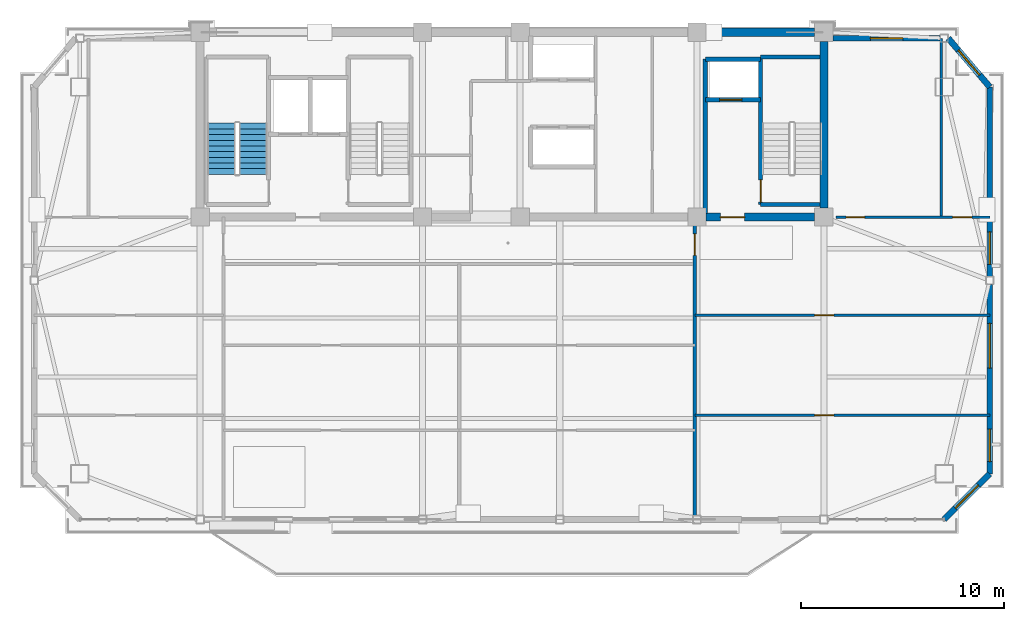
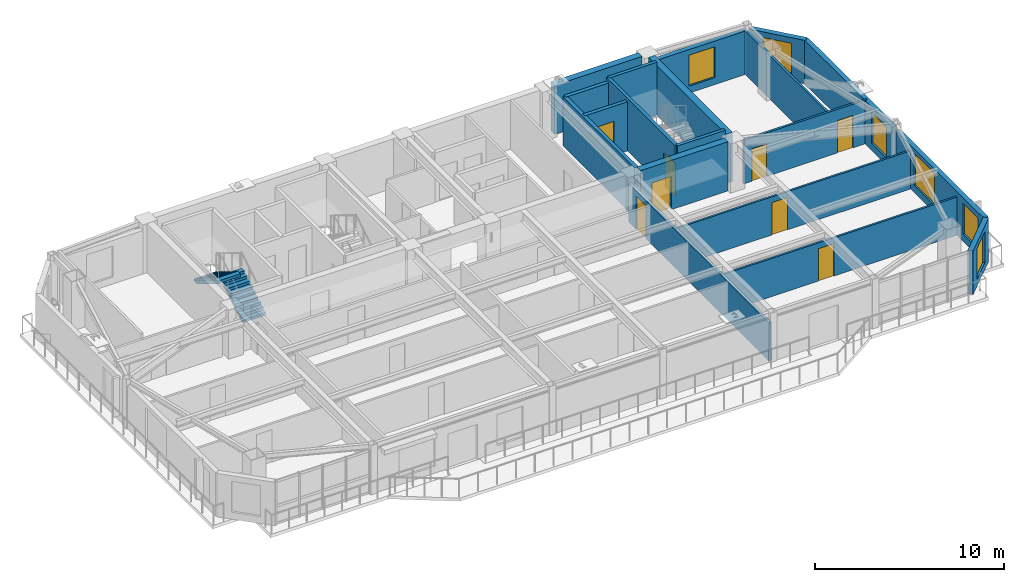
# One storey, part 8 of 13: 19 walls, 8 doors, 6 windows, 2 stair flights, 14 openings, 1 element without a shape of its own.
"""IFC4 building model written with IfcOpenShell, lengths in metres."""

from ifc_helpers import new_model, si_unit, direction, frame, frame_2d, origin, place, context, subcontext, project, spatial, polyline, rectangle, outline, extrude, source, transform, mapped, material, layer, layer_set, type_object, element, fill, aggregate, save


model = new_model("IFC4")

# Units and contexts
model_context = context("Model", 3, precision=1e-05, world=origin(), true_north=direction((0.0, 1.0)))
body_context = subcontext(model_context, "Body", "Model", "MODEL_VIEW")
ifc_project = project(units=[si_unit("LENGTHUNIT", "METRE"), si_unit("AREAUNIT", "SQUARE_METRE"), si_unit("VOLUMEUNIT", "CUBIC_METRE"), si_unit("PLANEANGLEUNIT", "RADIAN"), si_unit("MASSUNIT", "GRAM", prefix="KILO")], contexts=[model_context])

# Site, building, storey
site_placement = place(None, origin())
site = spatial("IfcSite", under=ifc_project, at=site_placement, CompositionType="ELEMENT")
building_placement = place(site_placement, origin())
building = spatial("IfcBuilding", under=site, at=building_placement, Name="Giltprow Tower", CompositionType="ELEMENT")
storey_placement = place(building_placement, frame((0.0, 0.0, 335.699951171875)))
storey = spatial("IfcBuildingStorey", under=building, at=storey_placement, Name="L87", CompositionType="ELEMENT", Elevation=335.699951171875)

# Wall, opening, window
ifc_material_1 = material(Name="Precast concrete C40", Category="concrete")
ifc_layer_1 = layer(ifc_material_1, 0.300048828125, Name="Precast concrete C40")
ifc_layer_set_1 = layer_set([ifc_layer_1], Name="Precast concrete C40")
wall_type_1 = type_object("IfcWallType", Name="EW-NOTCH-CHAMFER-300", PredefinedType="SOLIDWALL", material=ifc_layer_set_1)
wall_1_placement = place(storey_placement, frame((56.468994140625, 22.568115234375, 0.0), z_axis=(0.0, 0.0, 1.0), x_axis=(0.707145211947, 0.707068348337, 0.0)))
wall_1 = element("IfcWall", 1, at=wall_1_placement, inside=storey, type_object=wall_type_1, Name="L87 Corner Notch Wall SE", PredefinedType="SOLIDWALL", context=body_context, shape_type="SweptSolid", body=[
    extrude(rectangle(XDim=3.17626953125, YDim=0.300048828125, at=frame_2d((1.588134765625, 0.0))), origin(), (0.0, 0.0, 1.0), 2.81494140625),
])
opening_1_placement = place(wall_1_placement, frame((0.7880859375, 0.0, 0.449951171875)))
opening_1 = element("IfcOpeningElement", 2, at=opening_1_placement, cuts=wall_1, Name="Opening WN17", PredefinedType="OPENING", context=body_context, shape_type="SweptSolid", body=[
    extrude(rectangle(XDim=1.60009765625, YDim=2.0, at=frame_2d((0.800048828125, 1.0))), frame((0.0, 0.159912109375, 0.0), z_axis=(0.0, -1.0, 0.0), x_axis=(1.0, 0.0, 0.0)), (0.0, 0.0, 1.0), 0.320068359375),
])
ifc_material_2 = material(Name="Insulated glass", Category="glass")
window_type_1 = type_object("IfcWindowType", Name="WN-COR-1600x2000", PartitioningType="SINGLE_PANEL", PredefinedType="WINDOW", material=ifc_material_2)
shared_shape_1 = source(origin(), body_context, "Body", "SweptSolid", [
    extrude(rectangle(XDim=1.60009765625, YDim=2.0, at=frame_2d((0.800048828125, 1.0))), frame((0.0, 0.030029296875, 0.0), z_axis=(0.0, -1.0, 0.0), x_axis=(1.0, 0.0, 0.0)), (0.0, 0.0, 1.0), 0.06005859375),
])
window_1_placement = place(opening_1_placement, origin())
window_1 = element("IfcWindow", 3, at=window_1_placement, inside=storey, type_object=window_type_1, Name="L87 Corner Notch Window SE", OverallHeight=2.0, OverallWidth=1.60009765625, PartitioningType="SINGLE_PANEL", PredefinedType="WINDOW", context=body_context, shape_type="MappedRepresentation", body=[
    mapped(shared_shape_1, transform((0.0, 0.0, 0.0), x_axis=(1.0, 0.0, 0.0), y_axis=(0.0, 1.0, 0.0), z_axis=(0.0, 0.0, 1.0), scale=1.0)),
])
fill(opening_1, window_1)

wall_2_placement = place(storey_placement, frame((58.715087890625, 43.85400390625, 0.0), z_axis=(0.0, 0.0, 1.0), x_axis=(-0.64940558052, 0.760442234486, 0.0)))
wall_2 = element("IfcWall", 4, at=wall_2_placement, inside=storey, type_object=wall_type_1, Name="L87 Corner Notch Wall NE", PredefinedType="SOLIDWALL", context=body_context, shape_type="SweptSolid", body=[
    extrude(rectangle(XDim=3.15087890625, YDim=0.300048828125, at=frame_2d((1.575439453125, 0.0))), origin(), (0.0, 0.0, 1.0), 2.81494140625),
])
opening_2_placement = place(wall_2_placement, frame((0.77490234375, 0.0, 0.449951171875)))
opening_2 = element("IfcOpeningElement", 5, at=opening_2_placement, cuts=wall_2, Name="Opening WN17", PredefinedType="OPENING", context=body_context, shape_type="SweptSolid", body=[
    extrude(rectangle(XDim=1.60009765625, YDim=2.0, at=frame_2d((0.800048828125, 1.0))), frame((0.0, 0.159912109375, 0.0), z_axis=(0.0, -1.0, 0.0), x_axis=(1.0, 0.0, 0.0)), (0.0, 0.0, 1.0), 0.320068359375),
])
window_2_placement = place(opening_2_placement, origin())
window_2 = element("IfcWindow", 6, at=window_2_placement, inside=storey, type_object=window_type_1, Name="L87 Corner Notch Window NE", OverallHeight=2.0, OverallWidth=1.60009765625, PartitioningType="SINGLE_PANEL", PredefinedType="WINDOW", context=body_context, shape_type="MappedRepresentation", body=[
    mapped(shared_shape_1, transform((0.0, 0.0, 0.0), x_axis=(1.0, 0.0, 0.0), y_axis=(0.0, 1.0, 0.0), z_axis=(0.0, 0.0, 1.0), scale=1.0)),
])
fill(opening_2, window_2)

# Wall, openings, windows
ifc_layer_2 = layer(ifc_material_1, 0.280029296875, Name="Precast concrete C40")
ifc_layer_set_2 = layer_set([ifc_layer_2], Name="Precast concrete C40")
wall_type_2 = type_object("IfcWallType", Name="EW-TOW-BRONZE-280", PredefinedType="SOLIDWALL", material=ifc_layer_set_2)
wall_3_placement = place(storey_placement, frame((58.715087890625, 24.81396484375, 0.0), z_axis=(0.0, 0.0, 1.0), x_axis=(0.0, 1.0, 0.0)))
wall_3 = element("IfcWall", 7, at=wall_3_placement, inside=storey, type_object=wall_type_2, Name="L87 E Wing Masonry Wall 1", PredefinedType="SOLIDWALL", context=body_context, shape_type="SweptSolid", body=[
    extrude(rectangle(XDim=9.320068359375, YDim=0.280029296875, at=frame_2d((4.66015625, 0.0))), origin(), (0.0, 0.0, 1.0), 2.81494140625),
])
opening_3_placement = place(wall_3_placement, frame((0.60400390625, 0.0, 0.449951171875)))
opening_3 = element("IfcOpeningElement", 8, at=opening_3_placement, cuts=wall_3, Name="Opening WN17", PredefinedType="OPENING", context=body_context, shape_type="SweptSolid", body=[
    extrude(rectangle(XDim=1.60009765625, YDim=2.0, at=frame_2d((0.800048828125, 1.0))), frame((0.0, 0.14990234375, 0.0), z_axis=(0.0, -1.0, 0.0), x_axis=(1.0, 0.0, 0.0)), (0.0, 0.0, 1.0), 0.300048828125),
])
opening_4_placement = place(wall_3_placement, frame((5.201904296875, 0.0, 0.449951171875)))
opening_4 = element("IfcOpeningElement", 9, at=opening_4_placement, cuts=wall_3, Name="Opening WN27", PredefinedType="OPENING", context=body_context, shape_type="SweptSolid", body=[
    extrude(rectangle(XDim=2.199951171875, YDim=2.10009765625, at=frame_2d((1.10009765625, 1.050048828125))), frame((0.0, 0.14990234375, 0.0), z_axis=(0.0, -1.0, 0.0), x_axis=(1.0, 0.0, 0.0)), (0.0, 0.0, 1.0), 0.300048828125),
])
window_3_placement = place(opening_3_placement, origin())
window_3 = element("IfcWindow", 10, at=window_3_placement, inside=storey, type_object=window_type_1, Name="L87 E Wing Window 1-1A", OverallHeight=2.0, OverallWidth=1.60009765625, PartitioningType="SINGLE_PANEL", PredefinedType="WINDOW", context=body_context, shape_type="MappedRepresentation", body=[
    mapped(shared_shape_1, transform((0.0, 0.0, 0.0), x_axis=(1.0, 0.0, 0.0), y_axis=(0.0, 1.0, 0.0), z_axis=(0.0, 0.0, 1.0), scale=1.0)),
])
fill(opening_3, window_3)
window_type_2 = type_object("IfcWindowType", Name="WN-RES-2200x2100", PartitioningType="TRIPLE_PANEL_VERTICAL", PredefinedType="WINDOW", material=ifc_material_2)
shared_shape_2 = source(origin(), body_context, "Body", "SweptSolid", [
    extrude(rectangle(XDim=2.199951171875, YDim=2.10009765625, at=frame_2d((1.10009765625, 1.050048828125))), frame((0.0, 0.030029296875, 0.0), z_axis=(0.0, -1.0, 0.0), x_axis=(1.0, 0.0, 0.0)), (0.0, 0.0, 1.0), 0.06005859375),
])
window_4_placement = place(opening_4_placement, origin())
window_4 = element("IfcWindow", 11, at=window_4_placement, inside=storey, type_object=window_type_2, Name="L87 E Wing Window 1-1B", OverallHeight=2.10009765625, OverallWidth=2.199951171875, PartitioningType="SINGLE_PANEL", PredefinedType="WINDOW", context=body_context, shape_type="MappedRepresentation", body=[
    mapped(shared_shape_2, transform((0.0, 0.0, 0.0), x_axis=(1.0, 0.0, 0.0), y_axis=(0.0, 1.0, 0.0), z_axis=(0.0, 0.0, 1.0), scale=1.0)),
])
fill(opening_4, window_4)

# Wall, opening, window
wall_4_placement = place(storey_placement, frame((58.715087890625, 34.533935546875, 0.0), z_axis=(0.0, 0.0, 1.0), x_axis=(0.0, 1.0, 0.0)))
wall_4 = element("IfcWall", 12, at=wall_4_placement, inside=storey, type_object=wall_type_2, Name="L87 E Wing Masonry Wall 2", PredefinedType="SOLIDWALL", context=body_context, shape_type="SweptSolid", body=[
    extrude(rectangle(XDim=9.320068359375, YDim=0.280029296875, at=frame_2d((4.66015625, 0.0))), origin(), (0.0, 0.0, 1.0), 2.81494140625),
])
opening_5_placement = place(wall_4_placement, frame((0.589111328125, 0.0, 0.449951171875)))
opening_5 = element("IfcOpeningElement", 13, at=opening_5_placement, cuts=wall_4, Name="Opening WN17", PredefinedType="OPENING", context=body_context, shape_type="SweptSolid", body=[
    extrude(rectangle(XDim=1.60009765625, YDim=2.0, at=frame_2d((0.800048828125, 1.0))), frame((0.0, 0.14990234375, 0.0), z_axis=(0.0, -1.0, 0.0), x_axis=(1.0, 0.0, 0.0)), (0.0, 0.0, 1.0), 0.300048828125),
])
window_5_placement = place(opening_5_placement, origin())
window_5 = element("IfcWindow", 14, at=window_5_placement, inside=storey, type_object=window_type_1, Name="L87 E Wing Window 2-1", OverallHeight=2.0, OverallWidth=1.60009765625, PartitioningType="SINGLE_PANEL", PredefinedType="WINDOW", context=body_context, shape_type="MappedRepresentation", body=[
    mapped(shared_shape_1, transform((0.0, 0.0, 0.0), x_axis=(1.0, 0.0, 0.0), y_axis=(0.0, 1.0, 0.0), z_axis=(0.0, 0.0, 1.0), scale=1.0)),
])
fill(opening_5, window_5)

wall_5_placement = place(storey_placement, frame((51.0, 46.25, 0.0), z_axis=(0.0, 0.0, 1.0), x_axis=(1.0, 0.0, 0.0)))
wall_5 = element("IfcWall", 15, at=wall_5_placement, inside=storey, type_object=wall_type_2, Name="L87 North-East Wing Wall", PredefinedType="SOLIDWALL", context=body_context, shape_type="SweptSolid", body=[
    extrude(rectangle(XDim=5.26904296875, YDim=0.280029296875, at=frame_2d((2.634521484375, 0.0))), origin(), (0.0, 0.0, 1.0), 2.81494140625),
])
opening_6_placement = place(wall_5_placement, frame((1.833984375, 0.0, 0.449951171875)))
opening_6 = element("IfcOpeningElement", 16, at=opening_6_placement, cuts=wall_5, Name="Opening WN17", PredefinedType="OPENING", context=body_context, shape_type="SweptSolid", body=[
    extrude(rectangle(XDim=1.60009765625, YDim=2.0, at=frame_2d((0.800048828125, 1.0))), frame((0.0, 0.14990234375, 0.0), z_axis=(0.0, -1.0, 0.0), x_axis=(1.0, 0.0, 0.0)), (0.0, 0.0, 1.0), 0.300048828125),
])
window_6_placement = place(opening_6_placement, origin())
window_6 = element("IfcWindow", 17, at=window_6_placement, inside=storey, type_object=window_type_1, Name="L87 North-East Window", OverallHeight=2.0, OverallWidth=1.60009765625, PartitioningType="SINGLE_PANEL", PredefinedType="WINDOW", context=body_context, shape_type="MappedRepresentation", body=[
    mapped(shared_shape_1, transform((0.0, 0.0, 0.0), x_axis=(1.0, 0.0, 0.0), y_axis=(0.0, 1.0, 0.0), z_axis=(0.0, 0.0, 1.0), scale=1.0)),
])
fill(opening_6, window_6)

# Wall, opening, door
ifc_material_3 = material(Name="Gypsum stud partition", Category="gypsum")
ifc_layer_3 = layer(ifc_material_3, 0.159912109375, Name="Gypsum stud partition")
ifc_layer_set_3 = layer_set([ifc_layer_3], Name="Gypsum stud partition")
wall_type_3 = type_object("IfcWallType", Name="IW-DEMISE-160", PredefinedType="PARTITIONING", material=ifc_layer_set_3)
wall_6_placement = place(storey_placement, frame((44.199951171875, 22.568115234375, 0.0), z_axis=(0.0, 0.0, 1.0), x_axis=(0.0, 1.0, 0.0)))
wall_6 = element("IfcWall", 18, at=wall_6_placement, inside=storey, type_object=wall_type_3, Name="L87 Apartment Party Wall 3", PredefinedType="PARTITIONING", context=body_context, shape_type="SweptSolid", body=[
    extrude(rectangle(XDim=14.8818359375, YDim=0.159912109375, at=frame_2d((7.44091796875, 0.0))), origin(), (0.0, 0.0, 1.0), 2.469970703125),
])
opening_7_placement = place(wall_6_placement, frame((13.001953125, 0.0, 0.0)))
opening_7 = element("IfcOpeningElement", 19, at=opening_7_placement, cuts=wall_6, Name="Opening ID31", PredefinedType="OPENING", context=body_context, shape_type="SweptSolid", body=[
    extrude(rectangle(XDim=1.050048828125, YDim=2.14990234375, at=frame_2d((0.52490234375, 1.074951171875))), frame((0.0, 0.08984375, 0.0), z_axis=(0.0, -1.0, 0.0), x_axis=(1.0, 0.0, 0.0)), (0.0, 0.0, 1.0), 0.179931640625),
])
ifc_material_4 = material(Name="Engineered timber", Category="wood")
door_type_1 = type_object("IfcDoorType", Name="DR-SUITE-1050", OperationType="SINGLE_SWING_LEFT", PredefinedType="DOOR", material=ifc_material_4)
shared_shape_3 = source(origin(), body_context, "Body", "SweptSolid", [
    extrude(rectangle(XDim=1.050048828125, YDim=2.14990234375, at=frame_2d((0.52490234375, 1.074951171875))), frame((0.0, 0.02490234375, 0.0), z_axis=(0.0, -1.0, 0.0), x_axis=(1.0, 0.0, 0.0)), (0.0, 0.0, 1.0), 0.050048828125),
])
door_1_placement = place(opening_7_placement, origin())
door_1 = element("IfcDoor", 20, at=door_1_placement, inside=storey, type_object=door_type_1, Name="L87 Sky Study Office Corridor End Door", OperationType="SINGLE_SWING_LEFT", OverallHeight=2.14990234375, OverallWidth=1.050048828125, PredefinedType="DOOR", context=body_context, shape_type="MappedRepresentation", body=[
    mapped(shared_shape_3, transform((0.0, 0.0, 0.0), x_axis=(1.0, 0.0, 0.0), y_axis=(0.0, 1.0, 0.0), z_axis=(0.0, 0.0, 1.0), scale=1.0)),
])
fill(opening_7, door_1)

ifc_layer_4 = layer(ifc_material_3, 0.1201171875, Name="Gypsum stud partition")
ifc_layer_set_4 = layer_set([ifc_layer_4], Name="Gypsum stud partition")
wall_type_4 = type_object("IfcWallType", Name="IW-ROOM-120", PredefinedType="PARTITIONING", material=ifc_layer_set_4)
wall_7_placement = place(storey_placement, frame((44.199951171875, 27.69189453125, 0.0), z_axis=(0.0, 0.0, 1.0), x_axis=(1.0, 0.0, 0.0)))
wall_7 = element("IfcWall", 21, at=wall_7_placement, inside=storey, type_object=wall_type_4, Name="L87 Special Split 1", PredefinedType="PARTITIONING", context=body_context, shape_type="SweptSolid", body=[
    extrude(rectangle(XDim=14.51513671875, YDim=0.1201171875, at=frame_2d((7.257568359375, 0.0))), origin(), (0.0, 0.0, 1.0), 2.469970703125),
])
opening_8_placement = place(wall_7_placement, frame((5.89208984375, 0.0, 0.0)))
opening_8 = element("IfcOpeningElement", 22, at=opening_8_placement, cuts=wall_7, Name="Opening ID11", PredefinedType="OPENING", context=body_context, shape_type="SweptSolid", body=[
    extrude(rectangle(XDim=0.949951171875, YDim=2.10009765625, at=frame_2d((0.47509765625, 1.050048828125))), frame((0.0, 0.070068359375, 0.0), z_axis=(0.0, -1.0, 0.0), x_axis=(1.0, 0.0, 0.0)), (0.0, 0.0, 1.0), 0.14013671875),
])
door_type_2 = type_object("IfcDoorType", Name="DR-ROOM-950", OperationType="SINGLE_SWING_RIGHT", PredefinedType="DOOR", material=ifc_material_4)
shared_shape_4 = source(origin(), body_context, "Body", "SweptSolid", [
    extrude(rectangle(XDim=0.949951171875, YDim=2.10009765625, at=frame_2d((0.47509765625, 1.050048828125))), frame((0.0, 0.02490234375, 0.0), z_axis=(0.0, -1.0, 0.0), x_axis=(1.0, 0.0, 0.0)), (0.0, 0.0, 1.0), 0.050048828125),
])
door_2_placement = place(opening_8_placement, origin())
door_2 = element("IfcDoor", 23, at=door_2_placement, inside=storey, type_object=door_type_2, Name="L87 Sky Study Office South Door", OperationType="SINGLE_SWING_RIGHT", OverallHeight=2.10009765625, OverallWidth=0.949951171875, PredefinedType="DOOR", context=body_context, shape_type="MappedRepresentation", body=[
    mapped(shared_shape_4, transform((0.0, 0.0, 0.0), x_axis=(1.0, 0.0, 0.0), y_axis=(0.0, 1.0, 0.0), z_axis=(0.0, 0.0, 1.0), scale=1.0)),
])
fill(opening_8, door_2)

wall_8_placement = place(storey_placement, frame((44.199951171875, 32.615966796875, 0.0), z_axis=(0.0, 0.0, 1.0), x_axis=(1.0, 0.0, 0.0)))
wall_8 = element("IfcWall", 24, at=wall_8_placement, inside=storey, type_object=wall_type_4, Name="L87 Special Split 2", PredefinedType="PARTITIONING", context=body_context, shape_type="SweptSolid", body=[
    extrude(rectangle(XDim=14.51513671875, YDim=0.1201171875, at=frame_2d((7.257568359375, 0.0))), origin(), (0.0, 0.0, 1.0), 2.469970703125),
])
opening_9_placement = place(wall_8_placement, frame((5.89208984375, 0.0, 0.0)))
opening_9 = element("IfcOpeningElement", 25, at=opening_9_placement, cuts=wall_8, Name="Opening ID11", PredefinedType="OPENING", context=body_context, shape_type="SweptSolid", body=[
    extrude(rectangle(XDim=0.949951171875, YDim=2.10009765625, at=frame_2d((0.47509765625, 1.050048828125))), frame((0.0, 0.070068359375, 0.0), z_axis=(0.0, -1.0, 0.0), x_axis=(1.0, 0.0, 0.0)), (0.0, 0.0, 1.0), 0.14013671875),
])
door_3_placement = place(opening_9_placement, origin())
door_3 = element("IfcDoor", 26, at=door_3_placement, inside=storey, type_object=door_type_2, Name="L87 Sky Study Office Mid Door", OperationType="SINGLE_SWING_LEFT", OverallHeight=2.10009765625, OverallWidth=0.949951171875, PredefinedType="DOOR", context=body_context, shape_type="MappedRepresentation", body=[
    mapped(shared_shape_4, transform((0.0, 0.0, 0.0), x_axis=(1.0, 0.0, 0.0), y_axis=(0.0, 1.0, 0.0), z_axis=(0.0, 0.0, 1.0), scale=1.0)),
])
fill(opening_9, door_3)

ifc_material_5 = material(Name="Concrete C40", Category="concrete")
ifc_layer_5 = layer(ifc_material_5, 0.219970703125, Name="Concrete C40")
ifc_layer_set_5 = layer_set([ifc_layer_5], Name="Concrete C40")
wall_type_5 = type_object("IfcWallType", Name="IW-SHAFT-220", PredefinedType="SOLIDWALL", material=ifc_layer_set_5)
wall_9_placement = place(storey_placement, frame((44.719970703125, 43.219970703125, 0.0), z_axis=(0.0, 0.0, 1.0), x_axis=(1.0, 0.0, 0.0)))
wall_9 = element("IfcWall", 27, at=wall_9_placement, inside=storey, type_object=wall_type_5, Name="L87 FFL2 Front Shaft Wall", PredefinedType="SOLIDWALL", context=body_context, shape_type="SweptSolid", body=[
    extrude(rectangle(XDim=2.719970703125, YDim=0.219970703125, at=frame_2d((1.35986328125, 0.0))), origin(), (0.0, 0.0, 1.0), 3.18505859375),
])
opening_10_placement = place(wall_9_placement, frame((0.699951171875, 0.0, 0.0)))
opening_10 = element("IfcOpeningElement", 28, at=opening_10_placement, cuts=wall_9, Name="Opening LD-11", PredefinedType="OPENING", context=body_context, shape_type="SweptSolid", body=[
    extrude(rectangle(XDim=1.10009765625, YDim=2.199951171875, at=frame_2d((0.550048828125, 1.10009765625))), frame((0.0, 0.119873046875, 0.0), z_axis=(0.0, -1.0, 0.0), x_axis=(1.0, 0.0, 0.0)), (0.0, 0.0, 1.0), 0.239990234375),
])
ifc_material_6 = material(Name="Stainless steel", Category="steel")
door_type_3 = type_object("IfcDoorType", Name="DR-LIFT-LD1100", OperationType="SLIDING_TO_LEFT", PredefinedType="DOOR", material=ifc_material_6)
shared_shape_5 = source(origin(), body_context, "Body", "SweptSolid", [
    extrude(rectangle(XDim=1.10009765625, YDim=2.199951171875, at=frame_2d((0.550048828125, 1.10009765625))), frame((0.0, 0.02490234375, 0.0), z_axis=(0.0, -1.0, 0.0), x_axis=(1.0, 0.0, 0.0)), (0.0, 0.0, 1.0), 0.050048828125),
])
door_4_placement = place(opening_10_placement, origin())
door_4 = element("IfcDoor", 29, at=door_4_placement, inside=storey, type_object=door_type_3, Name="L87 FFL2 Landing Door", OperationType="SLIDING_TO_LEFT", OverallHeight=2.199951171875, OverallWidth=1.10009765625, PredefinedType="DOOR", context=body_context, shape_type="MappedRepresentation", body=[
    mapped(shared_shape_5, transform((0.0, 0.0, 0.0), x_axis=(1.0, 0.0, 0.0), y_axis=(0.0, 1.0, 0.0), z_axis=(0.0, 0.0, 1.0), scale=1.0)),
])
fill(opening_10, door_4)

# Walls
wall_10_placement = place(storey_placement, frame((44.719970703125, 45.219970703125, 0.0), z_axis=(0.0, 0.0, 1.0), x_axis=(1.0, 0.0, 0.0)))
element("IfcWall", 30, at=wall_10_placement, inside=storey, type_object=wall_type_5, Name="L87 FFL2 Back Shaft Wall", PredefinedType="SOLIDWALL", context=body_context, shape_type="SweptSolid", body=[
    extrude(rectangle(XDim=2.719970703125, YDim=0.219970703125, at=frame_2d((1.35986328125, 0.0))), origin(), (0.0, 0.0, 1.0), 3.18505859375),
])
wall_11_placement = place(storey_placement, frame((44.719970703125, 37.6298828125, 0.0), z_axis=(0.0, 0.0, 1.0), x_axis=(0.0, 1.0, 0.0)))
element("IfcWall", 31, at=wall_11_placement, inside=storey, type_object=wall_type_5, Name="L87 East Firefighting Lobby West Wall", PredefinedType="SOLIDWALL", context=body_context, shape_type="SweptSolid", body=[
    extrude(rectangle(XDim=7.590087890625, YDim=0.219970703125, at=frame_2d((3.794921875, 0.0))), origin(), (0.0, 0.0, 1.0), 3.18505859375),
])

# Wall, opening, door
ifc_layer_6 = layer(ifc_material_5, 0.199951171875, Name="Concrete C40")
ifc_layer_set_6 = layer_set([ifc_layer_6], Name="Concrete C40")
wall_type_6 = type_object("IfcWallType", Name="IW-STAIR-200", PredefinedType="SOLIDWALL", material=ifc_layer_set_6)
wall_12_placement = place(storey_placement, frame((47.43994140625, 38.070068359375, 0.0), z_axis=(0.0, 0.0, 1.0), x_axis=(0.0, 1.0, 0.0)))
wall_12 = element("IfcWall", 32, at=wall_12_placement, inside=storey, type_object=wall_type_6, Name="L87 Stair ST-3 West Bearing Wall", PredefinedType="SOLIDWALL", context=body_context, shape_type="SweptSolid", body=[
    extrude(rectangle(XDim=7.25, YDim=0.199951171875, at=frame_2d((3.625, 0.0))), origin(), (0.0, 0.0, 1.0), 3.400146484375),
])
opening_11_placement = place(wall_12_placement, frame((0.110107421875, 0.0, 0.0)))
opening_11 = element("IfcOpeningElement", 33, at=opening_11_placement, cuts=wall_12, Name="Opening ID33", PredefinedType="OPENING", context=body_context, shape_type="SweptSolid", body=[
    extrude(rectangle(XDim=1.10009765625, YDim=2.14990234375, at=frame_2d((0.550048828125, 1.074951171875))), frame((0.0, 0.10986328125, 0.0), z_axis=(0.0, -1.0, 0.0), x_axis=(1.0, 0.0, 0.0)), (0.0, 0.0, 1.0), 0.219970703125),
])
ifc_material_7 = material(Name="Steel fire leaf", Category="steel")
door_type_4 = type_object("IfcDoorType", Name="DR-STAIR-1100", OperationType="SINGLE_SWING_LEFT", PredefinedType="DOOR", material=ifc_material_7)
shared_shape_6 = source(origin(), body_context, "Body", "SweptSolid", [
    extrude(rectangle(XDim=1.10009765625, YDim=2.14990234375, at=frame_2d((0.550048828125, 1.074951171875))), frame((0.0, 0.02490234375, 0.0), z_axis=(0.0, -1.0, 0.0), x_axis=(1.0, 0.0, 0.0)), (0.0, 0.0, 1.0), 0.050048828125),
])
door_5_placement = place(opening_11_placement, origin())
door_5 = element("IfcDoor", 34, at=door_5_placement, inside=storey, type_object=door_type_4, Name="L87 Stair ST-3 Fire Door", OperationType="SINGLE_SWING_RIGHT", OverallHeight=2.14990234375, OverallWidth=1.10009765625, PredefinedType="DOOR", context=body_context, shape_type="MappedRepresentation", body=[
    mapped(shared_shape_6, transform((0.0, 0.0, 0.0), x_axis=(1.0, 0.0, 0.0), y_axis=(0.0, 1.0, 0.0), z_axis=(0.0, 0.0, 1.0), scale=1.0)),
])
fill(opening_11, door_5)

# Walls
for number, where, z_axis, x_axis, name in (
    (35, (47.43994140625, 45.320068359375, 0.0), (0.0, 0.0, 1.0), (1.0, 0.0, 0.0), "L87 Stair ST-3 North Bearing Wall"),
    (36, (47.43994140625, 38.070068359375, 0.0), (0.0, 0.0, 1.0), (1.0, 0.0, 0.0), "L87 Stair ST-3 South Bearing Wall"),
):
    element("IfcWall", number, at=place(storey_placement, frame(where, z_axis=z_axis, x_axis=x_axis)), inside=storey, type_object=wall_type_6, Name=name, PredefinedType="SOLIDWALL", context=body_context, shape_type="SweptSolid", body=[
        extrude(rectangle(XDim=2.93017578125, YDim=0.199951171875, at=frame_2d((1.465087890625, 0.0))), origin(), (0.0, 0.0, 1.0), 3.400146484375),
    ])

# Wall, openings, doors
ifc_material_8 = material(Name="Concrete C30", Category="concrete")
ifc_layer_7 = layer(ifc_material_8, 0.1298828125, Name="Concrete C30")
ifc_layer_set_7 = layer_set([ifc_layer_7], Name="Concrete C30")
wall_type_7 = type_object("IfcWallType", Name="IW-WET-130", PredefinedType="PARTITIONING", material=ifc_layer_set_7)
wall_13_placement = place(storey_placement, frame((51.14990234375, 37.449951171875, 0.0), z_axis=(0.0, 0.0, 1.0), x_axis=(1.0, 0.0, 0.0)))
wall_13 = element("IfcWall", 37, at=wall_13_placement, inside=storey, type_object=wall_type_7, Name="L87 NE Wing South Wall", PredefinedType="PARTITIONING", context=body_context, shape_type="SweptSolid", body=[
    extrude(rectangle(XDim=7.565185546875, YDim=0.1298828125, at=frame_2d((3.78271484375, 0.0))), origin(), (0.0, 0.0, 1.0), 2.820068359375),
])
opening_12_placement = place(wall_13_placement, frame((0.5, 0.0, 0.0)))
opening_12 = element("IfcOpeningElement", 38, at=opening_12_placement, cuts=wall_13, Name="Opening ID15", PredefinedType="OPENING", context=body_context, shape_type="SweptSolid", body=[
    extrude(rectangle(XDim=0.89990234375, YDim=2.10009765625, at=frame_2d((0.449951171875, 1.050048828125))), frame((0.0, 0.074951171875, 0.0), z_axis=(0.0, -1.0, 0.0), x_axis=(1.0, 0.0, 0.0)), (0.0, 0.0, 1.0), 0.14990234375),
])
opening_13_placement = place(wall_13_placement, frame((5.735107421875, 0.0, 0.0)))
opening_13 = element("IfcOpeningElement", 39, at=opening_13_placement, cuts=wall_13, Name="Opening ID11", PredefinedType="OPENING", context=body_context, shape_type="SweptSolid", body=[
    extrude(rectangle(XDim=0.949951171875, YDim=2.10009765625, at=frame_2d((0.47509765625, 1.050048828125))), frame((0.0, 0.074951171875, 0.0), z_axis=(0.0, -1.0, 0.0), x_axis=(1.0, 0.0, 0.0)), (0.0, 0.0, 1.0), 0.14990234375),
])
door_type_5 = type_object("IfcDoorType", Name="DR-WC-900", OperationType="SINGLE_SWING_LEFT", PredefinedType="DOOR", material=ifc_material_4)
shared_shape_7 = source(origin(), body_context, "Body", "SweptSolid", [
    extrude(rectangle(XDim=0.89990234375, YDim=2.10009765625, at=frame_2d((0.449951171875, 1.050048828125))), frame((0.0, 0.02490234375, 0.0), z_axis=(0.0, -1.0, 0.0), x_axis=(1.0, 0.0, 0.0)), (0.0, 0.0, 1.0), 0.050048828125),
])
door_6_placement = place(opening_12_placement, origin())
door_6 = element("IfcDoor", 40, at=door_6_placement, inside=storey, type_object=door_type_5, Name="L87 East Wing Washroom Door", OperationType="SINGLE_SWING_RIGHT", OverallHeight=2.10009765625, OverallWidth=0.89990234375, PredefinedType="DOOR", context=body_context, shape_type="MappedRepresentation", body=[
    mapped(shared_shape_7, transform((0.0, 0.0, 0.0), x_axis=(1.0, 0.0, 0.0), y_axis=(0.0, 1.0, 0.0), z_axis=(0.0, 0.0, 1.0), scale=1.0)),
])
fill(opening_12, door_6)
door_7_placement = place(opening_13_placement, origin())
door_7 = element("IfcDoor", 41, at=door_7_placement, inside=storey, type_object=door_type_2, Name="L87 Residents Reading Lounge Door", OperationType="SINGLE_SWING_RIGHT", OverallHeight=2.10009765625, OverallWidth=0.949951171875, PredefinedType="DOOR", context=body_context, shape_type="MappedRepresentation", body=[
    mapped(shared_shape_4, transform((0.0, 0.0, 0.0), x_axis=(1.0, 0.0, 0.0), y_axis=(0.0, 1.0, 0.0), z_axis=(0.0, 0.0, 1.0), scale=1.0)),
])
fill(opening_13, door_7)

# Walls
wall_14_placement = place(storey_placement, frame((56.3349609375, 37.449951171875, 0.0), z_axis=(0.0, 0.0, 1.0), x_axis=(0.0, 1.0, 0.0)))
element("IfcWall", 42, at=wall_14_placement, inside=storey, type_object=wall_type_7, Name="L87 NE Wing Divider", PredefinedType="PARTITIONING", context=body_context, shape_type="SweptSolid", body=[
    extrude(rectangle(XDim=8.800048828125, YDim=0.1298828125, at=frame_2d((4.39990234375, 0.0))), origin(), (0.0, 0.0, 1.0), 2.820068359375),
])
ifc_material_9 = material(Name="Concrete C45", Category="concrete")
ifc_layer_8 = layer(ifc_material_9, 0.39990234375, Name="Concrete C45")
ifc_layer_set_8 = layer_set([ifc_layer_8], Name="Concrete C45")
wall_type_8 = type_object("IfcWallType", Name="SW-EXT-400-C45", PredefinedType="SHEAR", material=ifc_layer_set_8)
wall_15_placement = place(storey_placement, frame((44.75, 46.550048828125, 0.0), z_axis=(0.0, 0.0, 1.0), x_axis=(1.0, 0.0, 0.0)))
element("IfcWall", 43, at=wall_15_placement, inside=storey, type_object=wall_type_8, Name="L87 North Rear Core Shear Wall 4", PredefinedType="SHEAR", context=body_context, shape_type="SweptSolid", body=[
    extrude(rectangle(XDim=5.35009765625, YDim=0.39990234375, at=frame_2d((2.675048828125, 0.0))), origin(), (0.0, 0.0, 1.0), 3.18505859375),
])

# Wall, opening, door
ifc_layer_9 = layer(ifc_material_9, 0.39990234375, Name="Concrete C45")
ifc_layer_set_9 = layer_set([ifc_layer_9], Name="Concrete C45")
wall_type_9 = type_object("IfcWallType", Name="SW-INT-400-C45", PredefinedType="SHEAR", material=ifc_layer_set_9)
wall_16_placement = place(storey_placement, frame((44.75, 37.449951171875, 0.0), z_axis=(0.0, 0.0, 1.0), x_axis=(1.0, 0.0, 0.0)))
wall_16 = element("IfcWall", 44, at=wall_16_placement, inside=storey, type_object=wall_type_9, Name="L87 South Rear Core Shear Wall East", PredefinedType="SHEAR", context=body_context, shape_type="SweptSolid", body=[
    extrude(rectangle(XDim=5.35009765625, YDim=0.39990234375, at=frame_2d((2.675048828125, 0.0))), origin(), (0.0, 0.0, 1.0), 3.18505859375),
])
opening_14_placement = place(wall_16_placement, frame((0.699951171875, 0.0, 0.0)))
opening_14 = element("IfcOpeningElement", 45, at=opening_14_placement, cuts=wall_16, Name="Opening ID19", PredefinedType="OPENING", context=body_context, shape_type="SweptSolid", body=[
    extrude(rectangle(XDim=1.199951171875, YDim=2.14990234375, at=frame_2d((0.60009765625, 1.074951171875))), frame((0.0, 0.2099609375, 0.0), z_axis=(0.0, -1.0, 0.0), x_axis=(1.0, 0.0, 0.0)), (0.0, 0.0, 1.0), 0.419921875),
])
door_type_6 = type_object("IfcDoorType", Name="DR-FFLOBBY-1200", OperationType="SINGLE_SWING_RIGHT", PredefinedType="DOOR", material=ifc_material_7)
shared_shape_8 = source(origin(), body_context, "Body", "SweptSolid", [
    extrude(rectangle(XDim=1.199951171875, YDim=2.14990234375, at=frame_2d((0.60009765625, 1.074951171875))), frame((0.0, 0.02490234375, 0.0), z_axis=(0.0, -1.0, 0.0), x_axis=(1.0, 0.0, 0.0)), (0.0, 0.0, 1.0), 0.050048828125),
])
door_8_placement = place(opening_14_placement, origin())
door_8 = element("IfcDoor", 46, at=door_8_placement, inside=storey, type_object=door_type_6, Name="L87 East Firefighting Lobby Entry Door", OperationType="SINGLE_SWING_RIGHT", OverallHeight=2.14990234375, OverallWidth=1.199951171875, PredefinedType="DOOR", context=body_context, shape_type="MappedRepresentation", body=[
    mapped(shared_shape_8, transform((0.0, 0.0, 0.0), x_axis=(1.0, 0.0, 0.0), y_axis=(0.0, 1.0, 0.0), z_axis=(0.0, 0.0, 1.0), scale=1.0)),
])
fill(opening_14, door_8)

# Wall
wall_17_placement = place(storey_placement, frame((50.550048828125, 37.89990234375, 0.0), z_axis=(0.0, 0.0, 1.0), x_axis=(0.0, 1.0, 0.0)))
element("IfcWall", 47, at=wall_17_placement, inside=storey, type_object=wall_type_9, Name="L87 E Rear Core Shear Wall", PredefinedType="SHEAR", context=body_context, shape_type="SweptSolid", body=[
    extrude(rectangle(XDim=8.2001953125, YDim=0.39990234375, at=frame_2d((4.10009765625, 0.0))), origin(), (0.0, 0.0, 1.0), 3.18505859375),
])

# Stair, stair flights
stair_type = type_object("IfcStairType", Name="STR-ST-1", PredefinedType="HALF_TURN_STAIR", material=ifc_material_5)
stair_placement = place(storey_placement, origin())
stair = element("IfcStair", 48, at=stair_placement, inside=storey, type_object=stair_type, Name="L87 Core Exit Stair ST-1", PredefinedType="HALF_TURN_STAIR")
stair_flight_type = type_object("IfcStairFlightType", Name="SFL-ST-1", PredefinedType="STRAIGHT", material=ifc_material_5)
stair_flight_1_placement = place(storey_placement, frame((22.4599609375, 39.550048828125, 0.0), z_axis=(0.0, 0.0, 1.0), x_axis=(0.0, 1.0, 0.0)))
stair_flight_1 = element("IfcStairFlight", 49, at=stair_flight_1_placement, type_object=stair_flight_type, Name="ST-1 flight 1", NumberOfRisers=10, NumberOfTreads=9, PredefinedType="STRAIGHT", RiserHeight=0.17, TreadLength=0.28, context=body_context, shape_type="SweptSolid", body=[
    extrude(outline(polyline([(0.0, 0.0), (0.0, 0.169921875), (0.280029296875, 0.169921875), (0.280029296875, 0.340087890625), (0.56005859375, 0.340087890625), (0.56005859375, 0.510009765625), (0.840087890625, 0.510009765625), (0.840087890625, 0.679931640625), (1.1201171875, 0.679931640625), (1.1201171875, 0.85009765625), (1.39990234375, 0.85009765625), (1.39990234375, 1.02001953125), (1.679931640625, 1.02001953125), (1.679931640625, 1.18994140625), (1.9599609375, 1.18994140625), (1.9599609375, 1.360107421875), (2.239990234375, 1.360107421875), (2.239990234375, 1.530029296875), (2.52001953125, 1.530029296875), (2.52001953125, 1.699951171875), (2.52001953125, 1.354736328125), (0.288818359375, 0.0), (0.0, 0.0)])), frame((0.0, 0.699951171875, 0.0), z_axis=(0.0, -1.0, 0.0), x_axis=(1.0, 0.0, 0.0)), (0.0, 0.0, 1.0), 1.39990234375),
])
stair_flight_2_placement = place(storey_placement, frame((20.89990234375, 42.070068359375, 1.699951171875), z_axis=(0.0, 0.0, 1.0), x_axis=(0.0, -1.0, 0.0)))
stair_flight_2 = element("IfcStairFlight", 50, at=stair_flight_2_placement, type_object=stair_flight_type, Name="ST-1 flight 2", NumberOfRisers=10, NumberOfTreads=9, PredefinedType="STRAIGHT", RiserHeight=0.17, TreadLength=0.28, context=body_context, shape_type="SweptSolid", body=[
    extrude(outline(polyline([(0.0, 0.0), (0.0, 0.169921875), (0.280029296875, 0.169921875), (0.280029296875, 0.340087890625), (0.56005859375, 0.340087890625), (0.56005859375, 0.510009765625), (0.840087890625, 0.510009765625), (0.840087890625, 0.679931640625), (1.1201171875, 0.679931640625), (1.1201171875, 0.85009765625), (1.39990234375, 0.85009765625), (1.39990234375, 1.02001953125), (1.679931640625, 1.02001953125), (1.679931640625, 1.18994140625), (1.9599609375, 1.18994140625), (1.9599609375, 1.360107421875), (2.239990234375, 1.360107421875), (2.239990234375, 1.530029296875), (2.52001953125, 1.530029296875), (2.52001953125, 1.699951171875), (2.52001953125, 1.354736328125), (0.288818359375, 0.0), (0.0, 0.0)])), frame((0.0, 0.699951171875, 0.0), z_axis=(0.0, -1.0, 0.0), x_axis=(1.0, 0.0, 0.0)), (0.0, 0.0, 1.0), 1.39990234375),
])
aggregate(stair, [stair_flight_1, stair_flight_2])

save(model, "model.ifc")
